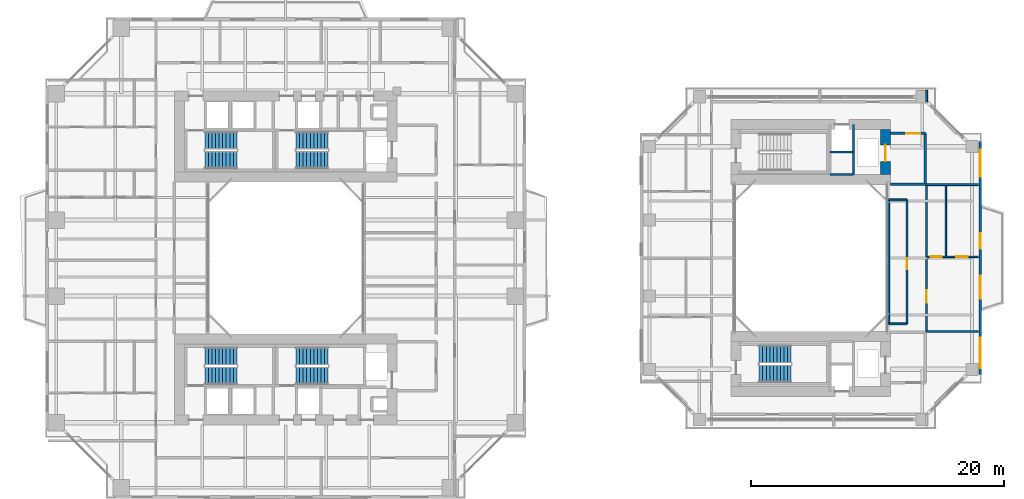
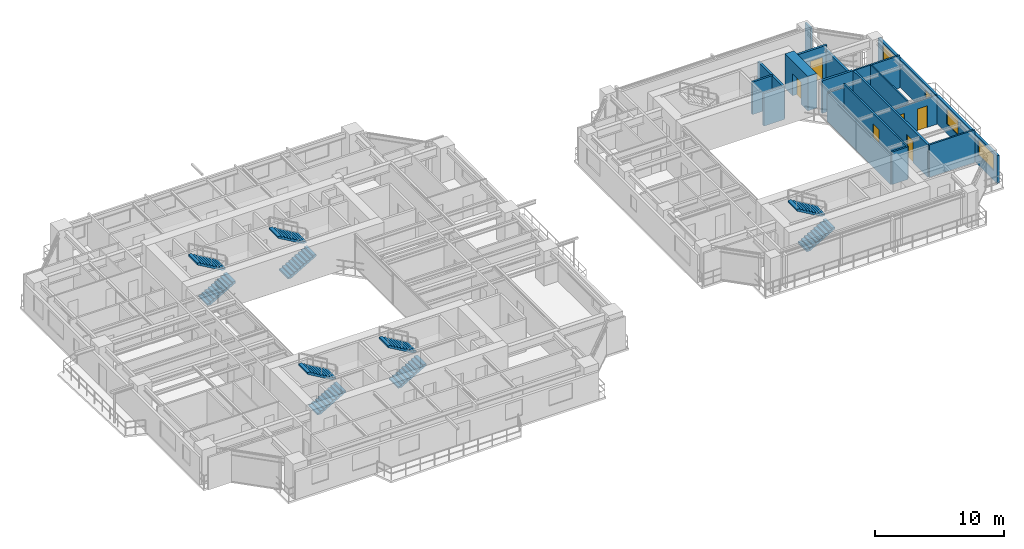
# One storey, part 18 of 23: 18 walls, 10 stair flights, 7 doors, 3 windows, 10 openings, 5 elements without a shape of their own.
"""IFC4 building model written with IfcOpenShell, lengths in metres."""

from ifc_helpers import new_model, si_unit, direction, frame, frame_2d, origin, place, context, subcontext, project, spatial, polyline, rectangle, outline, extrude, source, transform, mapped, material, layer, layer_set, type_object, element, fill, aggregate, save


model = new_model("IFC4")

# Units and contexts
model_context = context("Model", 3, precision=1e-05, world=origin(), true_north=direction((0.0, 1.0)))
body_context = subcontext(model_context, "Body", "Model", "MODEL_VIEW")
ifc_project = project(units=[si_unit("LENGTHUNIT", "METRE"), si_unit("AREAUNIT", "SQUARE_METRE"), si_unit("VOLUMEUNIT", "CUBIC_METRE"), si_unit("PLANEANGLEUNIT", "RADIAN"), si_unit("MASSUNIT", "GRAM", prefix="KILO"), si_unit("THERMODYNAMICTEMPERATUREUNIT", "KELVIN"), si_unit("POWERUNIT", "WATT")], contexts=[model_context])

# Site, building, storey
site_placement = place(None, origin())
site = spatial("IfcSite", under=ifc_project, at=site_placement, CompositionType="ELEMENT")
building_placement = place(site_placement, origin())
building = spatial("IfcBuilding", under=site, at=building_placement, Name="Qiaomeng Ring Towers", CompositionType="ELEMENT")
storey_placement = place(building_placement, frame((0.0, 0.0, 60.0)))
storey = spatial("IfcBuildingStorey", under=building, at=storey_placement, Name="L16", CompositionType="ELEMENT", Elevation=60.0)

# Wall, openings, windows, door
ifc_material_1 = material(Name="Precast concrete C40", Category="concrete")
ifc_layer_1 = layer(ifc_material_1, 0.219970703125, Name="Precast concrete C40")
ifc_layer_set_1 = layer_set([ifc_layer_1], Name="Precast concrete C40")
wall_type_1 = type_object("IfcWallType", Name="ARC-WL-EW2", PredefinedType="STANDARD", material=ifc_layer_set_1)
wall_1_placement = place(storey_placement, frame((73.889892578125, 13.800048828125, 0.0), z_axis=(0.0, 0.0, 1.0), x_axis=(0.0, 1.0, 0.0)))
wall_1 = element("IfcWall", 1, at=wall_1_placement, inside=storey, type_object=wall_type_1, Name="L16 Companion East Wall", PredefinedType="STANDARD", context=body_context, shape_type="SweptSolid", body=[
    extrude(rectangle(XDim=18.39990234375, YDim=0.219970703125, at=frame_2d((9.199951171875, 0.0))), origin(), (0.0, 0.0, 1.0), 2.610107421875),
])
opening_1_placement = place(wall_1_placement, frame((9.949951171875, 0.0, 0.0)))
opening_1 = element("IfcOpeningElement", 2, at=opening_1_placement, cuts=wall_1, Name="Opening BD1", PredefinedType="OPENING", context=body_context, shape_type="SweptSolid", body=[
    extrude(rectangle(XDim=1.199951171875, YDim=2.10009765625, at=frame_2d((0.60009765625, 1.050048828125))), frame((0.0, 0.119873046875, 0.0), z_axis=(0.0, -1.0, 0.0), x_axis=(1.0, 0.0, 0.0)), (0.0, 0.0, 1.0), 0.239990234375),
])
opening_2_placement = place(wall_1_placement, frame((0.507568359375, 0.0, 0.89990234375)))
opening_2 = element("IfcOpeningElement", 3, at=opening_2_placement, cuts=wall_1, Name="Opening WN6", PredefinedType="OPENING", context=body_context, shape_type="SweptSolid", body=[
    extrude(rectangle(XDim=2.39990234375, YDim=1.5, at=frame_2d((1.199951171875, 0.75))), frame((0.0, 0.119873046875, 0.0), z_axis=(0.0, -1.0, 0.0), x_axis=(1.0, 0.0, 0.0)), (0.0, 0.0, 1.0), 0.239990234375),
])
opening_3_placement = place(wall_1_placement, frame((6.0, 0.0, 0.89990234375)))
opening_3 = element("IfcOpeningElement", 4, at=opening_3_placement, cuts=wall_1, Name="Opening WN1", PredefinedType="OPENING", context=body_context, shape_type="SweptSolid", body=[
    extrude(rectangle(XDim=1.800048828125, YDim=1.449951171875, at=frame_2d((0.89990234375, 0.72509765625))), frame((0.0, 0.119873046875, 0.0), z_axis=(0.0, -1.0, 0.0), x_axis=(1.0, 0.0, 0.0)), (0.0, 0.0, 1.0), 0.239990234375),
])
opening_4_placement = place(wall_1_placement, frame((15.642578125, 0.0, 0.89990234375)))
opening_4 = element("IfcOpeningElement", 5, at=opening_4_placement, cuts=wall_1, Name="Opening WN4", PredefinedType="OPENING", context=body_context, shape_type="SweptSolid", body=[
    extrude(rectangle(XDim=2.10009765625, YDim=1.5, at=frame_2d((1.050048828125, 0.75))), frame((0.0, 0.119873046875, 0.0), z_axis=(0.0, -1.0, 0.0), x_axis=(1.0, 0.0, 0.0)), (0.0, 0.0, 1.0), 0.239990234375),
])
ifc_material_2 = material(Name="Low-E dark-grey laminated double glazing", Category="glass")
window_type_1 = type_object("IfcWindowType", Name="ARC-WN-4", PartitioningType="TRIPLE_PANEL_VERTICAL", PredefinedType="WINDOW", material=ifc_material_2)
shared_shape_1 = source(origin(), body_context, "Body", "SweptSolid", [
    extrude(rectangle(XDim=2.10009765625, YDim=1.5, at=frame_2d((1.050048828125, 0.75))), frame((0.0, 0.030029296875, 0.0), z_axis=(0.0, -1.0, 0.0), x_axis=(1.0, 0.0, 0.0)), (0.0, 0.0, 1.0), 0.06005859375),
])
window_1_placement = place(opening_4_placement, origin())
window_1 = element("IfcWindow", 6, at=window_1_placement, inside=storey, type_object=window_type_1, Name="L16 Exterior Window WN4", OverallHeight=1.5, OverallWidth=2.10009765625, PartitioningType="TRIPLE_PANEL_VERTICAL", PredefinedType="WINDOW", context=body_context, shape_type="MappedRepresentation", body=[
    mapped(shared_shape_1, transform((0.0, 0.0, 0.0), x_axis=(1.0, 0.0, 0.0), y_axis=(0.0, 1.0, 0.0), z_axis=(0.0, 0.0, 1.0), scale=1.0)),
])
fill(opening_4, window_1)
window_type_2 = type_object("IfcWindowType", Name="ARC-WN-1", PartitioningType="DOUBLE_PANEL_VERTICAL", PredefinedType="WINDOW", material=ifc_material_2)
shared_shape_2 = source(origin(), body_context, "Body", "SweptSolid", [
    extrude(rectangle(XDim=1.800048828125, YDim=1.449951171875, at=frame_2d((0.89990234375, 0.72509765625))), frame((0.0, 0.030029296875, 0.0), z_axis=(0.0, -1.0, 0.0), x_axis=(1.0, 0.0, 0.0)), (0.0, 0.0, 1.0), 0.06005859375),
])
window_2_placement = place(opening_3_placement, origin())
window_2 = element("IfcWindow", 7, at=window_2_placement, inside=storey, type_object=window_type_2, Name="L16 Exterior Window WN1", OverallHeight=1.449951171875, OverallWidth=1.800048828125, PartitioningType="DOUBLE_PANEL_VERTICAL", PredefinedType="WINDOW", context=body_context, shape_type="MappedRepresentation", body=[
    mapped(shared_shape_2, transform((0.0, 0.0, 0.0), x_axis=(1.0, 0.0, 0.0), y_axis=(0.0, 1.0, 0.0), z_axis=(0.0, 0.0, 1.0), scale=1.0)),
])
fill(opening_3, window_2)
door_type_1 = type_object("IfcDoorType", Name="ARC-DR-BD1", OperationType="NOTDEFINED", PredefinedType="DOOR", material=ifc_material_2)
shared_shape_3 = source(origin(), body_context, "Body", "SweptSolid", [
    extrude(rectangle(XDim=1.199951171875, YDim=2.10009765625, at=frame_2d((0.60009765625, 1.050048828125))), frame((0.0, 0.02490234375, 0.0), z_axis=(0.0, -1.0, 0.0), x_axis=(1.0, 0.0, 0.0)), (0.0, 0.0, 1.0), 0.050048828125),
])
door_1_placement = place(opening_1_placement, origin())
door_1 = element("IfcDoor", 8, at=door_1_placement, inside=storey, type_object=door_type_1, Name="L16 Companion East Balcony Door", OperationType="SINGLE_SWING_LEFT", OverallHeight=2.10009765625, OverallWidth=1.199951171875, PredefinedType="DOOR", context=body_context, shape_type="MappedRepresentation", body=[
    mapped(shared_shape_3, transform((0.0, 0.0, 0.0), x_axis=(1.0, 0.0, 0.0), y_axis=(0.0, 1.0, 0.0), z_axis=(0.0, 0.0, 1.0), scale=1.0)),
])
fill(opening_1, door_1)
window_type_3 = type_object("IfcWindowType", Name="ARC-WN-6", PartitioningType="TRIPLE_PANEL_VERTICAL", PredefinedType="WINDOW", material=ifc_material_2)
shared_shape_4 = source(origin(), body_context, "Body", "SweptSolid", [
    extrude(rectangle(XDim=2.39990234375, YDim=1.5, at=frame_2d((1.199951171875, 0.75))), frame((0.0, 0.030029296875, 0.0), z_axis=(0.0, -1.0, 0.0), x_axis=(1.0, 0.0, 0.0)), (0.0, 0.0, 1.0), 0.06005859375),
])
window_3_placement = place(opening_2_placement, origin())
window_3 = element("IfcWindow", 9, at=window_3_placement, inside=storey, type_object=window_type_3, Name="L16 Exterior Window WN6", OverallHeight=1.5, OverallWidth=2.39990234375, PartitioningType="TRIPLE_PANEL_VERTICAL", PredefinedType="WINDOW", context=body_context, shape_type="MappedRepresentation", body=[
    mapped(shared_shape_4, transform((0.0, 0.0, 0.0), x_axis=(1.0, 0.0, 0.0), y_axis=(0.0, 1.0, 0.0), z_axis=(0.0, 0.0, 1.0), scale=1.0)),
])
fill(opening_2, window_3)

# Walls
ifc_material_3 = material(Name="Autoclaved aerated concrete block", Category="concrete")
ifc_layer_2 = layer(ifc_material_3, 0.199951171875, Name="Autoclaved aerated concrete block")
ifc_layer_set_2 = layer_set([ifc_layer_2], Name="Autoclaved aerated concrete block")
wall_type_2 = type_object("IfcWallType", Name="ARC-WL-PW1", PredefinedType="PARTITIONING", material=ifc_layer_set_2)
wall_2_placement = place(storey_placement, frame((66.800048828125, 28.85009765625, 0.0), z_axis=(0.0, 0.0, 1.0), x_axis=(1.0, 0.0, 0.0)))
element("IfcWall", 10, at=wall_2_placement, inside=storey, type_object=wall_type_2, Name="L16 Interior Wall PW1", PredefinedType="PARTITIONING", context=body_context, shape_type="SweptSolid", body=[
    extrude(rectangle(XDim=2.75, YDim=0.199951171875, at=frame_2d((1.375, 0.0))), origin(), (0.0, 0.0, 1.0), 3.070068359375),
])
wall_3_placement = place(storey_placement, frame((69.550048828125, 28.85009765625, 0.0), z_axis=(0.0, 0.0, 1.0), x_axis=(0.0, 1.0, 0.0)))
element("IfcWall", 11, at=wall_3_placement, inside=storey, type_object=wall_type_2, Name="L16 Interior Wall PW1", PredefinedType="PARTITIONING", context=body_context, shape_type="SweptSolid", body=[
    extrude(rectangle(XDim=4.0, YDim=0.199951171875, at=frame_2d((2.0, 0.0))), origin(), (0.0, 0.0, 1.0), 2.614990234375),
])

# Wall, opening, door
wall_4_placement = place(storey_placement, frame((66.800048828125, 32.85009765625, 0.0), z_axis=(0.0, 0.0, 1.0), x_axis=(1.0, 0.0, 0.0)))
wall_4 = element("IfcWall", 12, at=wall_4_placement, inside=storey, type_object=wall_type_2, Name="L16 Interior Wall PW1", PredefinedType="PARTITIONING", context=body_context, shape_type="SweptSolid", body=[
    extrude(rectangle(XDim=2.75, YDim=0.199951171875, at=frame_2d((1.375, 0.0))), origin(), (0.0, 0.0, 1.0), 3.070068359375),
])
opening_5_placement = place(wall_4_placement, frame((1.25, 0.0, 0.0)))
opening_5 = element("IfcOpeningElement", 13, at=opening_5_placement, cuts=wall_4, Name="Opening FD3", PredefinedType="OPENING", context=body_context, shape_type="SweptSolid", body=[
    extrude(rectangle(XDim=1.10009765625, YDim=2.050048828125, at=frame_2d((0.550048828125, 1.02490234375))), frame((0.0, 0.10986328125, 0.0), z_axis=(0.0, -1.0, 0.0), x_axis=(1.0, 0.0, 0.0)), (0.0, 0.0, 1.0), 0.219970703125),
])
ifc_material_4 = material(Name="Galvanised steel", Category="steel")
door_type_2 = type_object("IfcDoorType", Name="ARC-DR-FD3", OperationType="NOTDEFINED", PredefinedType="DOOR", material=ifc_material_4)
shared_shape_5 = source(origin(), body_context, "Body", "SweptSolid", [
    extrude(rectangle(XDim=1.10009765625, YDim=2.050048828125, at=frame_2d((0.550048828125, 1.02490234375))), frame((0.0, 0.02490234375, 0.0), z_axis=(0.0, -1.0, 0.0), x_axis=(1.0, 0.0, 0.0)), (0.0, 0.0, 1.0), 0.050048828125),
])
door_2_placement = place(opening_5_placement, origin())
door_2 = element("IfcDoor", 14, at=door_2_placement, inside=storey, type_object=door_type_2, Name="L16 Door FD3", OperationType="SINGLE_SWING_LEFT", OverallHeight=2.050048828125, OverallWidth=1.10009765625, PredefinedType="DOOR", context=body_context, shape_type="MappedRepresentation", body=[
    mapped(shared_shape_5, transform((0.0, 0.0, 0.0), x_axis=(1.0, 0.0, 0.0), y_axis=(0.0, 1.0, 0.0), z_axis=(0.0, 0.0, 1.0), scale=1.0)),
])
fill(opening_5, door_2)

ifc_layer_3 = layer(ifc_material_3, 0.179931640625, Name="Autoclaved aerated concrete block")
ifc_layer_set_3 = layer_set([ifc_layer_3], Name="Autoclaved aerated concrete block")
wall_type_3 = type_object("IfcWallType", Name="ARC-WL-PW2", PredefinedType="PARTITIONING", material=ifc_layer_set_3)
wall_5_placement = place(storey_placement, frame((69.64990234375, 17.199951171875, 0.0), z_axis=(0.0, 0.0, 1.0), x_axis=(0.0, 1.0, 0.0)))
wall_5 = element("IfcWall", 15, at=wall_5_placement, inside=storey, type_object=wall_type_3, Name="L16 Interior Wall PW2", PredefinedType="PARTITIONING", context=body_context, shape_type="SweptSolid", body=[
    extrude(rectangle(XDim=11.60009765625, YDim=0.179931640625, at=frame_2d((5.800048828125, 0.0))), origin(), (0.0, 0.0, 1.0), 3.070068359375),
])
opening_6_placement = place(wall_5_placement, frame((2.260009765625, 0.0, 0.0)))
opening_6 = element("IfcOpeningElement", 16, at=opening_6_placement, cuts=wall_5, Name="Opening FD4", PredefinedType="OPENING", context=body_context, shape_type="SweptSolid", body=[
    extrude(rectangle(XDim=1.0, YDim=2.050048828125, at=frame_2d((0.5, 1.02490234375))), frame((0.0, 0.099853515625, 0.0), z_axis=(0.0, -1.0, 0.0), x_axis=(1.0, 0.0, 0.0)), (0.0, 0.0, 1.0), 0.199951171875),
])
ifc_material_5 = material(Name="Engineered fire-rated oak timber", Category="wood")
door_type_3 = type_object("IfcDoorType", Name="ARC-DR-FD4", OperationType="NOTDEFINED", PredefinedType="DOOR", material=ifc_material_5)
shared_shape_6 = source(origin(), body_context, "Body", "SweptSolid", [
    extrude(rectangle(XDim=1.0, YDim=2.050048828125, at=frame_2d((0.5, 1.02490234375))), frame((0.0, 0.02490234375, 0.0), z_axis=(0.0, -1.0, 0.0), x_axis=(1.0, 0.0, 0.0)), (0.0, 0.0, 1.0), 0.050048828125),
])
door_3_placement = place(opening_6_placement, origin())
door_3 = element("IfcDoor", 17, at=door_3_placement, inside=storey, type_object=door_type_3, Name="L16 Door FD4", OperationType="SINGLE_SWING_LEFT", OverallHeight=2.050048828125, OverallWidth=1.0, PredefinedType="DOOR", context=body_context, shape_type="MappedRepresentation", body=[
    mapped(shared_shape_6, transform((0.0, 0.0, 0.0), x_axis=(1.0, 0.0, 0.0), y_axis=(0.0, 1.0, 0.0), z_axis=(0.0, 0.0, 1.0), scale=1.0)),
])
fill(opening_6, door_3)

# Walls
ifc_material_6 = material(Name="Gypsum fireboard steel-stud partition", Category="steel")
ifc_layer_4 = layer(ifc_material_6, 0.14990234375, Name="Gypsum fireboard steel-stud partition")
ifc_layer_set_4 = layer_set([ifc_layer_4], Name="Gypsum fireboard steel-stud partition")
wall_type_4 = type_object("IfcWallType", Name="ARC-WL-PW3", PredefinedType="PARTITIONING", material=ifc_layer_set_4)
for number, where, z_axis, x_axis, name in (
    (18, (69.64990234375, 17.199951171875, 0.0), (0.0, 0.0, 1.0), (1.0, 0.0, 0.0), "L16 Interior Wall PW3"),
    (19, (69.64990234375, 28.800048828125, 0.0), (0.0, 0.0, 1.0), (1.0, 0.0, 0.0), "L16 Interior Wall PW3"),
):
    element("IfcWall", number, at=place(storey_placement, frame(where, z_axis=z_axis, x_axis=x_axis)), inside=storey, type_object=wall_type_4, Name=name, PredefinedType="PARTITIONING", context=body_context, shape_type="SweptSolid", body=[
        extrude(rectangle(XDim=4.10009765625, YDim=0.14990234375, at=frame_2d((2.050048828125, 0.0))), origin(), (0.0, 0.0, 1.0), 3.070068359375),
    ])

# Wall, opening, door
wall_6_placement = place(storey_placement, frame((68.10009765625, 17.800048828125, 0.0), z_axis=(0.0, 0.0, 1.0), x_axis=(0.0, 1.0, 0.0)))
wall_6 = element("IfcWall", 20, at=wall_6_placement, inside=storey, type_object=wall_type_4, Name="L16 Interior Wall PW3", PredefinedType="PARTITIONING", context=body_context, shape_type="SweptSolid", body=[
    extrude(rectangle(XDim=9.800048828125, YDim=0.14990234375, at=frame_2d((4.89990234375, 0.0))), origin(), (0.0, 0.0, 1.0), 3.070068359375),
])
opening_7_placement = place(wall_6_placement, frame((4.300048828125, 0.0, 0.0)))
opening_7 = element("IfcOpeningElement", 21, at=opening_7_placement, cuts=wall_6, Name="Opening ID1", PredefinedType="OPENING", context=body_context, shape_type="SweptSolid", body=[
    extrude(rectangle(XDim=0.89990234375, YDim=2.050048828125, at=frame_2d((0.449951171875, 1.02490234375))), frame((0.0, 0.0849609375, 0.0), z_axis=(0.0, -1.0, 0.0), x_axis=(1.0, 0.0, 0.0)), (0.0, 0.0, 1.0), 0.169921875),
])
ifc_material_7 = material(Name="Engineered oak timber", Category="wood")
door_type_4 = type_object("IfcDoorType", Name="ARC-DR-ID1", OperationType="NOTDEFINED", PredefinedType="DOOR", material=ifc_material_7)
shared_shape_7 = source(origin(), body_context, "Body", "SweptSolid", [
    extrude(rectangle(XDim=0.89990234375, YDim=2.050048828125, at=frame_2d((0.449951171875, 1.02490234375))), frame((0.0, 0.02490234375, 0.0), z_axis=(0.0, -1.0, 0.0), x_axis=(1.0, 0.0, 0.0)), (0.0, 0.0, 1.0), 0.050048828125),
])
door_4_placement = place(opening_7_placement, origin())
door_4 = element("IfcDoor", 22, at=door_4_placement, inside=storey, type_object=door_type_4, Name="L16 Door ID1", OperationType="SINGLE_SWING_RIGHT", OverallHeight=2.050048828125, OverallWidth=0.89990234375, PredefinedType="DOOR", context=body_context, shape_type="MappedRepresentation", body=[
    mapped(shared_shape_7, transform((0.0, 0.0, 0.0), x_axis=(1.0, 0.0, 0.0), y_axis=(0.0, 1.0, 0.0), z_axis=(0.0, 0.0, 1.0), scale=1.0)),
])
fill(opening_7, door_4)

# Walls
wall_7_placement = place(storey_placement, frame((66.64990234375, 27.60009765625, 0.0), z_axis=(0.0, 0.0, 1.0), x_axis=(1.0, 0.0, 0.0)))
element("IfcWall", 23, at=wall_7_placement, inside=storey, type_object=wall_type_4, Name="L16 Interior Wall PW3", PredefinedType="PARTITIONING", context=body_context, shape_type="SweptSolid", body=[
    extrude(rectangle(XDim=1.4501953125, YDim=0.14990234375, at=frame_2d((0.72509765625, 0.0))), origin(), (0.0, 0.0, 1.0), 2.764892578125),
])
wall_8_placement = place(storey_placement, frame((66.64990234375, 17.800048828125, 0.0), z_axis=(0.0, 0.0, 1.0), x_axis=(1.0, 0.0, 0.0)))
element("IfcWall", 24, at=wall_8_placement, inside=storey, type_object=wall_type_4, Name="L16 Interior Wall PW3", PredefinedType="PARTITIONING", context=body_context, shape_type="SweptSolid", body=[
    extrude(rectangle(XDim=1.4501953125, YDim=0.14990234375, at=frame_2d((0.72509765625, 0.0))), origin(), (0.0, 0.0, 1.0), 3.070068359375),
])
wall_9_placement = place(storey_placement, frame((66.64990234375, 17.800048828125, 0.0), z_axis=(0.0, 0.0, 1.0), x_axis=(0.0, 1.0, 0.0)))
element("IfcWall", 25, at=wall_9_placement, inside=storey, type_object=wall_type_4, Name="L16 Interior Wall PW3", PredefinedType="PARTITIONING", context=body_context, shape_type="SweptSolid", body=[
    extrude(rectangle(XDim=9.800048828125, YDim=0.14990234375, at=frame_2d((4.89990234375, 0.0))), origin(), (0.0, 0.0, 1.0), 2.6650390625),
])
wall_10_placement = place(storey_placement, frame((69.64990234375, 35.35009765625, 0.0), z_axis=(0.0, 0.0, 1.0), x_axis=(0.0, 1.0, 0.0)))
element("IfcWall", 26, at=wall_10_placement, inside=storey, type_object=wall_type_4, Name="L16 Interior Wall PW3", PredefinedType="PARTITIONING", context=body_context, shape_type="SweptSolid", body=[
    extrude(rectangle(XDim=0.89990234375, YDim=0.14990234375, at=frame_2d((0.449951171875, 0.0))), origin(), (0.0, 0.0, 1.0), 3.070068359375),
])

# Wall, openings, doors
ifc_material_8 = material(Name="Moisture-resistant gypsum steel-stud partition", Category="steel")
ifc_layer_5 = layer(ifc_material_8, 0.1201171875, Name="Moisture-resistant gypsum steel-stud partition")
ifc_layer_set_5 = layer_set([ifc_layer_5], Name="Moisture-resistant gypsum steel-stud partition")
wall_type_5 = type_object("IfcWallType", Name="ARC-WL-PW4", PredefinedType="PLUMBINGWALL", material=ifc_layer_set_5)
wall_11_placement = place(storey_placement, frame((69.64990234375, 23.10009765625, 0.0), z_axis=(0.0, 0.0, 1.0), x_axis=(1.0, 0.0, 0.0)))
wall_11 = element("IfcWall", 27, at=wall_11_placement, inside=storey, type_object=wall_type_5, Name="L16 Interior Wall PW4", PredefinedType="PLUMBINGWALL", context=body_context, shape_type="SweptSolid", body=[
    extrude(rectangle(XDim=4.10009765625, YDim=0.1201171875, at=frame_2d((2.050048828125, 0.0))), origin(), (0.0, 0.0, 1.0), 2.764892578125),
])
opening_8_placement = place(wall_11_placement, frame((0.344970703125, 0.0, 0.0)))
opening_8 = element("IfcOpeningElement", 28, at=opening_8_placement, cuts=wall_11, Name="Opening ID2", PredefinedType="OPENING", context=body_context, shape_type="SweptSolid", body=[
    extrude(rectangle(XDim=0.85009765625, YDim=2.050048828125, at=frame_2d((0.425048828125, 1.02490234375))), frame((0.0, 0.070068359375, 0.0), z_axis=(0.0, -1.0, 0.0), x_axis=(1.0, 0.0, 0.0)), (0.0, 0.0, 1.0), 0.14013671875),
])
opening_9_placement = place(wall_11_placement, frame((2.35009765625, 0.0, 0.0)))
opening_9 = element("IfcOpeningElement", 29, at=opening_9_placement, cuts=wall_11, Name="Opening ID1", PredefinedType="OPENING", context=body_context, shape_type="SweptSolid", body=[
    extrude(rectangle(XDim=0.89990234375, YDim=2.050048828125, at=frame_2d((0.449951171875, 1.02490234375))), frame((0.0, 0.070068359375, 0.0), z_axis=(0.0, -1.0, 0.0), x_axis=(1.0, 0.0, 0.0)), (0.0, 0.0, 1.0), 0.14013671875),
])
ifc_material_9 = material(Name="Moisture-resistant engineered timber", Category="wood")
door_type_5 = type_object("IfcDoorType", Name="ARC-DR-ID2", OperationType="NOTDEFINED", PredefinedType="DOOR", material=ifc_material_9)
shared_shape_8 = source(origin(), body_context, "Body", "SweptSolid", [
    extrude(rectangle(XDim=0.85009765625, YDim=2.050048828125, at=frame_2d((0.425048828125, 1.02490234375))), frame((0.0, 0.02490234375, 0.0), z_axis=(0.0, -1.0, 0.0), x_axis=(1.0, 0.0, 0.0)), (0.0, 0.0, 1.0), 0.050048828125),
])
door_5_placement = place(opening_8_placement, origin())
door_5 = element("IfcDoor", 30, at=door_5_placement, inside=storey, type_object=door_type_5, Name="L16 Door ID2", OperationType="SINGLE_SWING_LEFT", OverallHeight=2.050048828125, OverallWidth=0.85009765625, PredefinedType="DOOR", context=body_context, shape_type="MappedRepresentation", body=[
    mapped(shared_shape_8, transform((0.0, 0.0, 0.0), x_axis=(1.0, 0.0, 0.0), y_axis=(0.0, 1.0, 0.0), z_axis=(0.0, 0.0, 1.0), scale=1.0)),
])
fill(opening_8, door_5)
door_6_placement = place(opening_9_placement, origin())
door_6 = element("IfcDoor", 31, at=door_6_placement, inside=storey, type_object=door_type_4, Name="L16 Door ID1", OperationType="SINGLE_SWING_RIGHT", OverallHeight=2.050048828125, OverallWidth=0.89990234375, PredefinedType="DOOR", context=body_context, shape_type="MappedRepresentation", body=[
    mapped(shared_shape_7, transform((0.0, 0.0, 0.0), x_axis=(1.0, 0.0, 0.0), y_axis=(0.0, 1.0, 0.0), z_axis=(0.0, 0.0, 1.0), scale=1.0)),
])
fill(opening_9, door_6)

# Walls
wall_12_placement = place(storey_placement, frame((71.169921875, 23.10009765625, 0.0), z_axis=(0.0, 0.0, 1.0), x_axis=(0.0, 1.0, 0.0)))
element("IfcWall", 32, at=wall_12_placement, inside=storey, type_object=wall_type_5, Name="L16 Interior Wall PW4", PredefinedType="PLUMBINGWALL", context=body_context, shape_type="SweptSolid", body=[
    extrude(rectangle(XDim=5.699951171875, YDim=0.1201171875, at=frame_2d((2.85009765625, 0.0))), origin(), (0.0, 0.0, 1.0), 3.070068359375),
])
ifc_material_10 = material(Name="Concrete C40", Category="concrete")
ifc_layer_6 = layer(ifc_material_10, 0.199951171875, Name="Concrete C40")
ifc_layer_set_6 = layer_set([ifc_layer_6], Name="Concrete C40")
wall_type_6 = type_object("IfcWallType", Name="STR-WL-STSHAFT", PredefinedType="SHEAR", material=ifc_layer_set_6)
wall_13_placement = place(storey_placement, frame((63.8798828125, 29.60009765625, 0.0), z_axis=(0.0, 0.0, 1.0), x_axis=(0.0, 1.0, 0.0)))
element("IfcWall", 33, at=wall_13_placement, inside=storey, type_object=wall_type_6, Name="L16 Companion Lift Shaft East Wall N", PredefinedType="SHEAR", context=body_context, shape_type="SweptSolid", body=[
    extrude(rectangle(XDim=3.949951171875, YDim=0.179931640625, at=frame_2d((1.97509765625, 0.0))), origin(), (0.0, 0.0, 1.0), 3.070068359375),
])
for number, where, z_axis, x_axis, name in (
    (34, (62.02001953125, 31.3798828125, 0.0), (0.0, 0.0, 1.0), (1.0, 0.0, 0.0), "L16 Companion Lift Shaft Divider Wall N"),
    (35, (62.02001953125, 29.60009765625, 0.0), (0.0, 0.0, 1.0), (1.0, 0.0, 0.0), "L16 Companion Riser Shaft Back Wall N"),
):
    element("IfcWall", number, at=place(storey_placement, frame(where, z_axis=z_axis, x_axis=x_axis)), inside=storey, type_object=wall_type_6, Name=name, PredefinedType="SHEAR", context=body_context, shape_type="SweptSolid", body=[
        extrude(rectangle(XDim=1.85986328125, YDim=0.179931640625, at=frame_2d((0.929931640625, 0.0))), origin(), (0.0, 0.0, 1.0), 3.070068359375),
    ])

# Wall, opening, door
ifc_material_11 = material(Name="Concrete C60", Category="concrete")
ifc_layer_7 = layer(ifc_material_11, 0.800048828125, Name="Concrete C60")
ifc_layer_set_7 = layer_set([ifc_layer_7], Name="Concrete C60")
wall_type_7 = type_object("IfcWallType", Name="STR-WL-SW1", PredefinedType="SHEAR", material=ifc_layer_set_7)
wall_14_placement = place(storey_placement, frame((66.39990234375, 29.60009765625, 0.0), z_axis=(0.0, 0.0, 1.0), x_axis=(0.0, 1.0, 0.0)))
wall_14 = element("IfcWall", 36, at=wall_14_placement, inside=storey, type_object=wall_type_7, Name="L16 T2NC east core shear wall", PredefinedType="SHEAR", context=body_context, shape_type="SweptSolid", body=[
    extrude(rectangle(XDim=3.5498046875, YDim=0.800048828125, at=frame_2d((1.77490234375, 0.0))), origin(), (0.0, 0.0, 1.0), 3.25),
])
opening_10_placement = place(wall_14_placement, frame((1.050048828125, 0.0, 0.0)))
opening_10 = element("IfcOpeningElement", 37, at=opening_10_placement, cuts=wall_14, Name="Opening LD2", PredefinedType="OPENING", context=body_context, shape_type="SweptSolid", body=[
    extrude(rectangle(XDim=1.300048828125, YDim=2.050048828125, at=frame_2d((0.64990234375, 1.02490234375))), frame((0.0, 0.409912109375, 0.0), z_axis=(0.0, -1.0, 0.0), x_axis=(1.0, 0.0, 0.0)), (0.0, 0.0, 1.0), 0.820068359375),
])
ifc_material_12 = material(Name="Stainless steel 316", Category="steel")
door_type_6 = type_object("IfcDoorType", Name="ARC-DR-LD2", OperationType="NOTDEFINED", PredefinedType="DOOR", material=ifc_material_12)
shared_shape_9 = source(origin(), body_context, "Body", "SweptSolid", [
    extrude(rectangle(XDim=1.300048828125, YDim=2.050048828125, at=frame_2d((0.64990234375, 1.02490234375))), frame((0.0, 0.02490234375, 0.0), z_axis=(0.0, -1.0, 0.0), x_axis=(1.0, 0.0, 0.0)), (0.0, 0.0, 1.0), 0.050048828125),
])
door_7_placement = place(opening_10_placement, origin())
door_7 = element("IfcDoor", 38, at=door_7_placement, inside=storey, type_object=door_type_6, Name="L16 Firefighting Lift FL3 Landing Door", OperationType="SLIDING_TO_LEFT", OverallHeight=2.050048828125, OverallWidth=1.300048828125, PredefinedType="DOOR", context=body_context, shape_type="MappedRepresentation", body=[
    mapped(shared_shape_9, transform((0.0, 0.0, 0.0), x_axis=(1.0, 0.0, 0.0), y_axis=(0.0, 1.0, 0.0), z_axis=(0.0, 0.0, 1.0), scale=1.0)),
])
fill(opening_10, door_7)

# Stair, stair flights
stair_type = type_object("IfcStairType", Name="ARC-ST-325", PredefinedType="HALF_TURN_STAIR", material=ifc_material_1)
stair_1_placement = place(storey_placement, origin())
stair_1 = element("IfcStair", 39, at=stair_1_placement, inside=storey, type_object=stair_type, Name="L16 Tower 1 North Stair 1", PredefinedType="HALF_TURN_STAIR")
stair_flight_type = type_object("IfcStairFlightType", Name="ARC-ST-325-FL", PredefinedType="STRAIGHT", material=ifc_material_1)
shared_shape_10 = source(origin(), body_context, "Body", "SweptSolid", [
    extrude(outline(polyline([(0.0, 0.0), (0.0, 0.16259765625), (0.280029296875, 0.16259765625), (0.280029296875, 0.324951171875), (0.56005859375, 0.324951171875), (0.56005859375, 0.487548828125), (0.840087890625, 0.487548828125), (0.840087890625, 0.64990234375), (1.1201171875, 0.64990234375), (1.1201171875, 0.8125), (1.39990234375, 0.8125), (1.39990234375, 0.97509765625), (1.679931640625, 0.97509765625), (1.679931640625, 1.137451171875), (1.9599609375, 1.137451171875), (1.9599609375, 1.300048828125), (2.239990234375, 1.300048828125), (2.239990234375, 1.46240234375), (2.52001953125, 1.46240234375), (2.52001953125, 1.625), (2.52001953125, 1.2890625), (0.298583984375, 0.0), (0.0, 0.0)])), frame((0.0, 0.699951171875, 0.0), z_axis=(0.0, -1.0, 0.0), x_axis=(1.0, 0.0, 0.0)), (0.0, 0.0, 1.0), 1.39990234375),
])
stair_flight_1_placement = place(storey_placement, frame((12.6201171875, 30.75, 0.0), z_axis=(0.0, 0.0, 1.0), x_axis=(1.0, 0.0, 0.0)))
stair_flight_1 = element("IfcStairFlight", 40, at=stair_flight_1_placement, type_object=stair_flight_type, Name="ST1 flight 1", NumberOfRisers=10, NumberOfTreads=9, PredefinedType="STRAIGHT", RiserHeight=0.1625, TreadLength=0.28, context=body_context, shape_type="MappedRepresentation", body=[
    mapped(shared_shape_10, transform((0.0, 0.0, 0.0), x_axis=(1.0, 0.0, 0.0), y_axis=(0.0, 1.0, 0.0), z_axis=(0.0, 0.0, 1.0), scale=1.0)),
])
stair_flight_2_placement = place(storey_placement, frame((15.139892578125, 32.2900390625, 1.625), z_axis=(0.0, 0.0, 1.0), x_axis=(-1.0, 0.0, 0.0)))
stair_flight_2 = element("IfcStairFlight", 41, at=stair_flight_2_placement, type_object=stair_flight_type, Name="ST1 flight 2", NumberOfRisers=10, NumberOfTreads=9, PredefinedType="STRAIGHT", RiserHeight=0.1625, TreadLength=0.28, context=body_context, shape_type="MappedRepresentation", body=[
    mapped(shared_shape_10, transform((0.0, 0.0, 0.0), x_axis=(1.0, 0.0, 0.0), y_axis=(0.0, 1.0, 0.0), z_axis=(0.0, 0.0, 1.0), scale=1.0)),
])
aggregate(stair_1, [stair_flight_1, stair_flight_2])

stair_2_placement = place(storey_placement, origin())
stair_2 = element("IfcStair", 42, at=stair_2_placement, inside=storey, type_object=stair_type, Name="L16 Tower 1 North Stair 2", PredefinedType="HALF_TURN_STAIR")
stair_flight_3_placement = place(storey_placement, frame((19.820068359375, 30.75, 0.0), z_axis=(0.0, 0.0, 1.0), x_axis=(1.0, 0.0, 0.0)))
stair_flight_3 = element("IfcStairFlight", 43, at=stair_flight_3_placement, type_object=stair_flight_type, Name="ST2 flight 1", NumberOfRisers=10, NumberOfTreads=9, PredefinedType="STRAIGHT", RiserHeight=0.1625, TreadLength=0.28, context=body_context, shape_type="MappedRepresentation", body=[
    mapped(shared_shape_10, transform((0.0, 0.0, 0.0), x_axis=(1.0, 0.0, 0.0), y_axis=(0.0, 1.0, 0.0), z_axis=(0.0, 0.0, 1.0), scale=1.0)),
])
stair_flight_4_placement = place(storey_placement, frame((22.340087890625, 32.2900390625, 1.625), z_axis=(0.0, 0.0, 1.0), x_axis=(-1.0, 0.0, 0.0)))
stair_flight_4 = element("IfcStairFlight", 44, at=stair_flight_4_placement, type_object=stair_flight_type, Name="ST2 flight 2", NumberOfRisers=10, NumberOfTreads=9, PredefinedType="STRAIGHT", RiserHeight=0.1625, TreadLength=0.28, context=body_context, shape_type="MappedRepresentation", body=[
    mapped(shared_shape_10, transform((0.0, 0.0, 0.0), x_axis=(1.0, 0.0, 0.0), y_axis=(0.0, 1.0, 0.0), z_axis=(0.0, 0.0, 1.0), scale=1.0)),
])
aggregate(stair_2, [stair_flight_3, stair_flight_4])

stair_3_placement = place(storey_placement, origin())
stair_3 = element("IfcStair", 45, at=stair_3_placement, inside=storey, type_object=stair_type, Name="L16 Tower 1 South Stair 3", PredefinedType="HALF_TURN_STAIR")
stair_flight_5_placement = place(storey_placement, frame((12.6201171875, 13.7099609375, 0.0), z_axis=(0.0, 0.0, 1.0), x_axis=(1.0, 0.0, 0.0)))
stair_flight_5 = element("IfcStairFlight", 46, at=stair_flight_5_placement, type_object=stair_flight_type, Name="ST3 flight 1", NumberOfRisers=10, NumberOfTreads=9, PredefinedType="STRAIGHT", RiserHeight=0.1625, TreadLength=0.28, context=body_context, shape_type="MappedRepresentation", body=[
    mapped(shared_shape_10, transform((0.0, 0.0, 0.0), x_axis=(1.0, 0.0, 0.0), y_axis=(0.0, 1.0, 0.0), z_axis=(0.0, 0.0, 1.0), scale=1.0)),
])
stair_flight_6_placement = place(storey_placement, frame((15.139892578125, 15.25, 1.625), z_axis=(0.0, 0.0, 1.0), x_axis=(-1.0, 0.0, 0.0)))
stair_flight_6 = element("IfcStairFlight", 47, at=stair_flight_6_placement, type_object=stair_flight_type, Name="ST3 flight 2", NumberOfRisers=10, NumberOfTreads=9, PredefinedType="STRAIGHT", RiserHeight=0.1625, TreadLength=0.28, context=body_context, shape_type="MappedRepresentation", body=[
    mapped(shared_shape_10, transform((0.0, 0.0, 0.0), x_axis=(1.0, 0.0, 0.0), y_axis=(0.0, 1.0, 0.0), z_axis=(0.0, 0.0, 1.0), scale=1.0)),
])
aggregate(stair_3, [stair_flight_5, stair_flight_6])

stair_4_placement = place(storey_placement, origin())
stair_4 = element("IfcStair", 48, at=stair_4_placement, inside=storey, type_object=stair_type, Name="L16 Tower 1 South Stair 4", PredefinedType="HALF_TURN_STAIR")
stair_flight_7_placement = place(storey_placement, frame((19.820068359375, 13.7099609375, 0.0), z_axis=(0.0, 0.0, 1.0), x_axis=(1.0, 0.0, 0.0)))
stair_flight_7 = element("IfcStairFlight", 49, at=stair_flight_7_placement, type_object=stair_flight_type, Name="ST4 flight 1", NumberOfRisers=10, NumberOfTreads=9, PredefinedType="STRAIGHT", RiserHeight=0.1625, TreadLength=0.28, context=body_context, shape_type="MappedRepresentation", body=[
    mapped(shared_shape_10, transform((0.0, 0.0, 0.0), x_axis=(1.0, 0.0, 0.0), y_axis=(0.0, 1.0, 0.0), z_axis=(0.0, 0.0, 1.0), scale=1.0)),
])
stair_flight_8_placement = place(storey_placement, frame((22.340087890625, 15.25, 1.625), z_axis=(0.0, 0.0, 1.0), x_axis=(-1.0, 0.0, 0.0)))
stair_flight_8 = element("IfcStairFlight", 50, at=stair_flight_8_placement, type_object=stair_flight_type, Name="ST4 flight 2", NumberOfRisers=10, NumberOfTreads=9, PredefinedType="STRAIGHT", RiserHeight=0.1625, TreadLength=0.28, context=body_context, shape_type="MappedRepresentation", body=[
    mapped(shared_shape_10, transform((0.0, 0.0, 0.0), x_axis=(1.0, 0.0, 0.0), y_axis=(0.0, 1.0, 0.0), z_axis=(0.0, 0.0, 1.0), scale=1.0)),
])
aggregate(stair_4, [stair_flight_7, stair_flight_8])

stair_5_placement = place(storey_placement, origin())
stair_5 = element("IfcStair", 51, at=stair_5_placement, inside=storey, type_object=stair_type, Name="L16 Companion South Stair 6", PredefinedType="HALF_TURN_STAIR")
stair_flight_9_placement = place(storey_placement, frame((56.419921875, 13.860107421875, 0.0), z_axis=(0.0, 0.0, 1.0), x_axis=(1.0, 0.0, 0.0)))
stair_flight_9 = element("IfcStairFlight", 52, at=stair_flight_9_placement, type_object=stair_flight_type, Name="ST6 flight 1", NumberOfRisers=10, NumberOfTreads=9, PredefinedType="STRAIGHT", RiserHeight=0.1625, TreadLength=0.28, context=body_context, shape_type="MappedRepresentation", body=[
    mapped(shared_shape_10, transform((0.0, 0.0, 0.0), x_axis=(1.0, 0.0, 0.0), y_axis=(0.0, 1.0, 0.0), z_axis=(0.0, 0.0, 1.0), scale=1.0)),
])
stair_flight_10_placement = place(storey_placement, frame((58.93994140625, 15.39990234375, 1.625), z_axis=(0.0, 0.0, 1.0), x_axis=(-1.0, 0.0, 0.0)))
stair_flight_10 = element("IfcStairFlight", 53, at=stair_flight_10_placement, type_object=stair_flight_type, Name="ST6 flight 2", NumberOfRisers=10, NumberOfTreads=9, PredefinedType="STRAIGHT", RiserHeight=0.1625, TreadLength=0.28, context=body_context, shape_type="MappedRepresentation", body=[
    mapped(shared_shape_10, transform((0.0, 0.0, 0.0), x_axis=(1.0, 0.0, 0.0), y_axis=(0.0, 1.0, 0.0), z_axis=(0.0, 0.0, 1.0), scale=1.0)),
])
aggregate(stair_5, [stair_flight_9, stair_flight_10])

save(model, "model.ifc")
